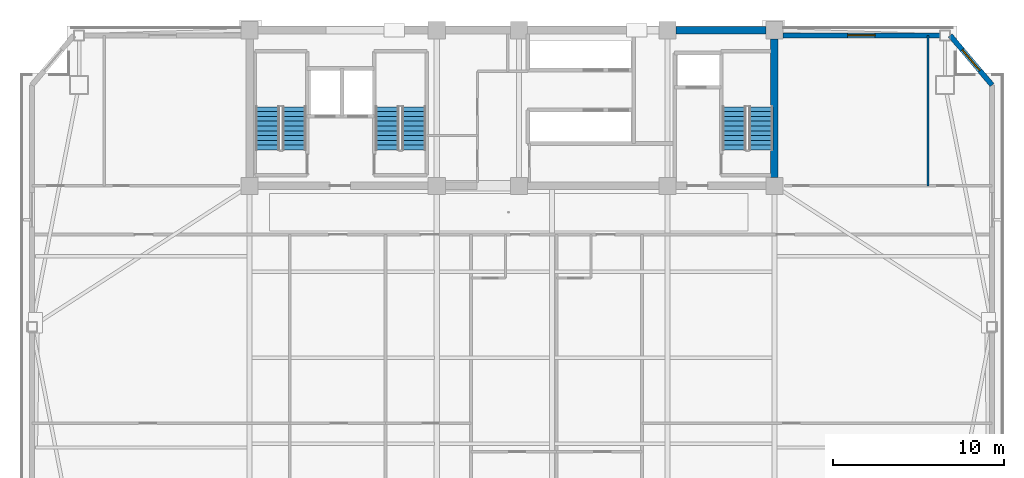
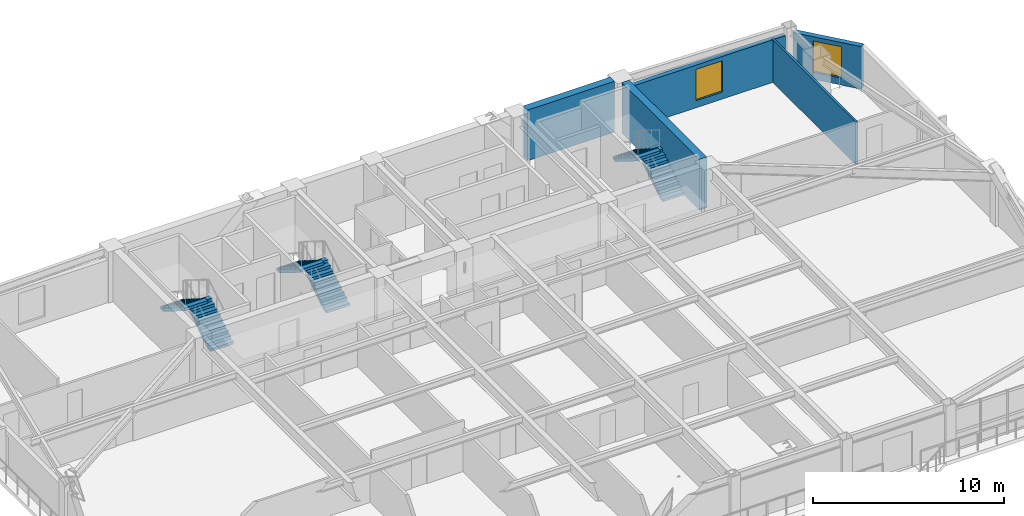
# One storey, part 11 of 17: 6 stair flights, 5 walls, 2 windows, 2 openings, 3 elements without a shape of their own.
"""IFC4 building model written with IfcOpenShell, lengths in metres."""

import ifcopenshell
import ifcopenshell.guid

model = None  # the IFC model being written
_history = None  # IfcOwnerHistory: only IFC2X3 demands one
_inside = {}  # id of a spatial element -> (the spatial element, [elements in it])
_under = {}  # id of a project, library or spatial element -> (it, [spatial elements below it])
_declared = {}  # id of a project -> (the project, [libraries it declares])
_typed = {}  # id of a type object -> (the type object, [elements of that type])
_made_of = {}  # id of a material, layer set ... -> (it, [elements and type objects made of it])


def new_model(schema):
    """Start an empty IFC model of exactly this schema.

    Asked for "IFC4X3", IfcOpenShell would pick the latest addendum, in which some entities
    have other attributes; the version numbers below select the first issue.
    IFC2X3 requires an IfcOwnerHistory on every rooted entity: one is made here for all.
    """
    global model, _history
    if schema == "IFC4X3":
        model = ifcopenshell.file(schema_version=(4, 3, 0, 0))
    else:
        model = ifcopenshell.file(schema=schema)
    _inside.clear()
    _under.clear()
    _declared.clear()
    _typed.clear()
    _made_of.clear()
    _history = None
    if model.schema == "IFC2X3":
        org = make("IfcOrganization", Name="unknown")
        user = make(
            "IfcPersonAndOrganization",
            ThePerson=make("IfcPerson", FamilyName="unknown"),
            TheOrganization=org,
        )
        app = make(
            "IfcApplication",
            ApplicationDeveloper=org,
            Version="unknown",
            ApplicationFullName="unknown",
            ApplicationIdentifier="unknown",
        )
        _history = make(
            "IfcOwnerHistory",
            OwningUser=user,
            OwningApplication=app,
            ChangeAction="ADDED",
            CreationDate=0,
        )
    return model


def make(cls, **values):
    """One entity of the class cls with the attributes given. An attribute that is None is left unset."""
    return model.create_entity(
        cls, **{name: value for name, value in values.items() if value is not None}
    )


def rooted(cls, **values):
    """An entity with a GlobalId (a new one), such as an element, a storey or a relation."""
    return make(cls, GlobalId=ifcopenshell.guid.new(), OwnerHistory=_history, **values)


def si_unit(unit_type, name, prefix=None):
    """IfcSIUnit, for example si_unit("LENGTHUNIT", "METRE", prefix="MILLI")."""
    return make("IfcSIUnit", UnitType=unit_type, Prefix=prefix, Name=name)


def assignment(units):
    """IfcUnitAssignment: the units of a project."""
    return None if units is None else make("IfcUnitAssignment", Units=units)


def point(xyz):
    """IfcCartesianPoint."""
    return None if xyz is None else make("IfcCartesianPoint", Coordinates=xyz)


def direction(xyz):
    """IfcDirection."""
    return None if xyz is None else make("IfcDirection", DirectionRatios=xyz)


def frame(location, z_axis=None, x_axis=None):
    """IfcAxis2Placement3D, a coordinate frame: its origin and axes. An axis left out is left unset."""
    return make(
        "IfcAxis2Placement3D",
        Location=point(location),
        Axis=direction(z_axis),
        RefDirection=direction(x_axis),
    )


def frame_2d(location, x_axis=None):
    """IfcAxis2Placement2D, a coordinate frame in the plane: its origin and x axis."""
    return make(
        "IfcAxis2Placement2D", Location=point(location), RefDirection=direction(x_axis)
    )


def origin():
    """The frame at (0, 0, 0) with its axes left unset."""
    return frame((0.0, 0.0, 0.0))


def place(relative_to, where):
    """IfcLocalPlacement: puts the frame where relative to a parent placement (None: the world)."""
    return make(
        "IfcLocalPlacement", PlacementRelTo=relative_to, RelativePlacement=where
    )


def context(
    kind, dimensions, precision=None, world=None, true_north=None, identifier=None
):
    """IfcGeometricRepresentationContext, for example the 3D "Model" context."""
    return make(
        "IfcGeometricRepresentationContext",
        ContextIdentifier=identifier,
        ContextType=kind,
        CoordinateSpaceDimension=dimensions,
        Precision=precision,
        WorldCoordinateSystem=world,
        TrueNorth=true_north,
    )


def subcontext(parent, identifier, kind, view, scale=None):
    """IfcGeometricRepresentationSubContext, for example "Body" below "Model"."""
    return make(
        "IfcGeometricRepresentationSubContext",
        ContextIdentifier=identifier,
        ContextType=kind,
        ParentContext=parent,
        TargetScale=scale,
        TargetView=view,
    )


def project(units=None, contexts=None):
    """IfcProject with its units and contexts."""
    return rooted(
        "IfcProject",
        Name="project",
        RepresentationContexts=contexts,
        UnitsInContext=assignment(units),
    )


def spatial(cls, under=None, at=None, **own):
    """A site, building, storey or space (cls), placed at a placement, below another one or the project."""
    s = rooted(cls, ObjectPlacement=at, **own)
    if under is not None:
        _under.setdefault(under.id(), (under, []))[1].append(s)
    return s


def polyline(points):
    """IfcPolyline through the points."""
    return make("IfcPolyline", Points=[point(p) for p in points])


def profile(cls, at=None, kind="AREA", **sizes):
    """A parametric profile (cls). Its sizes go by their IFC names, for example OverallWidth=200.0."""
    return make(cls, ProfileType=kind, Position=at, **sizes)


def rectangle(**sizes):
    """IfcRectangleProfileDef."""
    return profile("IfcRectangleProfileDef", **sizes)


def outline(outer, holes=None, kind="AREA"):
    """IfcArbitraryClosedProfileDef: a profile drawn as a closed curve; with holes, ...WithVoids."""
    if holes is None:
        return make("IfcArbitraryClosedProfileDef", ProfileType=kind, OuterCurve=outer)
    return make(
        "IfcArbitraryProfileDefWithVoids",
        ProfileType=kind,
        OuterCurve=outer,
        InnerCurves=holes,
    )


def extrude(swept, where, along, depth):
    """IfcExtrudedAreaSolid: the profile swept, set in the frame where, extruded along a direction by depth."""
    return make(
        "IfcExtrudedAreaSolid",
        SweptArea=swept,
        Position=where,
        ExtrudedDirection=direction(along),
        Depth=depth,
    )


def shape(context_of_items, identifier, shape_type, items):
    """IfcShapeRepresentation: the items that make up one representation, for example the "Body"."""
    return make(
        "IfcShapeRepresentation",
        ContextOfItems=context_of_items,
        RepresentationIdentifier=identifier,
        RepresentationType=shape_type,
        Items=items,
    )


def source(mapping_origin, context_of_items, identifier, shape_type, items):
    """IfcRepresentationMap: a shape defined once, which mapped items show again and again."""
    return make(
        "IfcRepresentationMap",
        MappingOrigin=mapping_origin,
        MappedRepresentation=shape(context_of_items, identifier, shape_type, items),
    )


def transform(
    local_origin,
    x_axis=None,
    y_axis=None,
    z_axis=None,
    scale=None,
    scale2=None,
    scale3=None,
    uniform=True,
):
    """IfcCartesianTransformationOperator3D, or its non-uniform kind. x_axis, y_axis, z_axis: its Axis1, 2, 3."""
    if uniform:
        return make(
            "IfcCartesianTransformationOperator3D",
            Axis1=direction(x_axis),
            Axis2=direction(y_axis),
            LocalOrigin=point(local_origin),
            Scale=scale,
            Axis3=direction(z_axis),
        )
    return make(
        "IfcCartesianTransformationOperator3DnonUniform",
        Axis1=direction(x_axis),
        Axis2=direction(y_axis),
        LocalOrigin=point(local_origin),
        Scale=scale,
        Axis3=direction(z_axis),
        Scale2=scale2,
        Scale3=scale3,
    )


def mapped(mapping_source, mapping_target):
    """IfcMappedItem: shows the shape of a source again, moved by a transform."""
    return make(
        "IfcMappedItem", MappingSource=mapping_source, MappingTarget=mapping_target
    )


def material(Name=None, Category=None):
    """IfcMaterial."""
    return make("IfcMaterial", Name=Name, Category=Category)


def layer(
    of_material, thickness, ventilated=None, Name=None, Category=None, Priority=None
):
    """IfcMaterialLayer: one layer of a wall or slab, of a material (None: an air gap)."""
    return make(
        "IfcMaterialLayer",
        Material=of_material,
        LayerThickness=thickness,
        IsVentilated=ventilated,
        Name=Name,
        Category=Category,
        Priority=Priority,
    )


def layer_set(layers, Name=None):
    """IfcMaterialLayerSet."""
    return make("IfcMaterialLayerSet", MaterialLayers=layers, LayerSetName=Name)


def made_of(thing, what):
    """Note that an element or type object is made of a material, layer set ...; save() writes the relation."""
    if what is not None:
        _made_of.setdefault(what.id(), (what, []))[1].append(thing)
    return thing


def type_object(cls, material=None, **own):
    """A type object (cls), such as IfcWallType, which elements share."""
    return made_of(rooted(cls, **own), material)


def element(
    cls,
    number,
    at=None,
    inside=None,
    cuts=None,
    type_object=None,
    material=None,
    context=None,
    identifier="Body",
    shape_type=None,
    held_by="IfcProductDefinitionShape",
    body=None,
    shapes=None,
    **own,
):
    """One element of the class cls, such as IfcWall. Its Tag is "e" and its number.

    at: its placement. inside: the storey or other place that contains it. cuts: it is an
    opening in that element (IfcRelVoidsElement). A single representation is given by context,
    identifier, shape_type and body (its items); several are given by shapes. held_by: the class
    of the entity that holds the representations. save() writes the other relations.
    """
    e = rooted(cls, Tag="e%d" % number, ObjectPlacement=at, **own)
    if body is not None:
        shapes = [shape(context, identifier, shape_type, body)]
    if shapes is not None:
        e.Representation = make(held_by, Representations=shapes)
    if inside is not None:
        _inside.setdefault(inside.id(), (inside, []))[1].append(e)
    if cuts is not None:
        rooted(
            "IfcRelVoidsElement", RelatingBuildingElement=cuts, RelatedOpeningElement=e
        )
    if type_object is not None:
        _typed.setdefault(type_object.id(), (type_object, []))[1].append(e)
    return made_of(e, material)


def fill(opening, filler):
    """IfcRelFillsElement: the door or window that sits in an opening."""
    return rooted(
        "IfcRelFillsElement",
        RelatingOpeningElement=opening,
        RelatedBuildingElement=filler,
    )


def aggregate(whole, parts):
    """IfcRelAggregates: a whole, such as a stair, and the parts it consists of."""
    return rooted("IfcRelAggregates", RelatingObject=whole, RelatedObjects=parts)


def save(model, path):
    """Write the relations noted so far, then the file.

    IfcRelAggregates (storeys below a building ...), IfcRelContainedInSpatialStructure (elements
    in a storey), IfcRelDefinesByType, IfcRelAssociatesMaterial and IfcRelDeclares: one each for
    every whole, place, type object, material and project.
    """
    for whole, parts in _under.values():
        aggregate(whole, parts)
    for where, things in _inside.values():
        rooted(
            "IfcRelContainedInSpatialStructure",
            RelatedElements=things,
            RelatingStructure=where,
        )
    for kind, things in _typed.values():
        rooted("IfcRelDefinesByType", RelatedObjects=things, RelatingType=kind)
    for what, things in _made_of.values():
        rooted("IfcRelAssociatesMaterial", RelatedObjects=things, RelatingMaterial=what)
    for by, libraries in _declared.values():
        rooted("IfcRelDeclares", RelatingContext=by, RelatedDefinitions=libraries)
    model.write(path)


model = new_model("IFC4")

# Units and contexts
model_context = context("Model", 3, precision=1e-05, world=origin(), true_north=direction((0.0, 1.0)))
body_context = subcontext(model_context, "Body", "Model", "MODEL_VIEW")
ifc_project = project(units=[si_unit("LENGTHUNIT", "METRE"), si_unit("AREAUNIT", "SQUARE_METRE"), si_unit("VOLUMEUNIT", "CUBIC_METRE"), si_unit("PLANEANGLEUNIT", "RADIAN"), si_unit("MASSUNIT", "GRAM", prefix="KILO")], contexts=[model_context])

# Site, building, storey
site_placement = place(None, origin())
site = spatial("IfcSite", under=ifc_project, at=site_placement, CompositionType="ELEMENT")
building_placement = place(site_placement, origin())
building = spatial("IfcBuilding", under=site, at=building_placement, Name="Giltprow Tower", CompositionType="ELEMENT")
storey_placement = place(building_placement, frame((0.0, 0.0, 216.699951171875)))
storey = spatial("IfcBuildingStorey", under=building, at=storey_placement, Name="L55", CompositionType="ELEMENT", Elevation=216.699951171875)

# Wall, opening, window
ifc_material_1 = material(Name="Precast concrete C40", Category="concrete")
ifc_layer_1 = layer(ifc_material_1, 0.300048828125, Name="Precast concrete C40")
ifc_layer_set_1 = layer_set([ifc_layer_1], Name="Precast concrete C40")
wall_type_1 = type_object("IfcWallType", Name="EW-NOTCH-CHAMFER-300", PredefinedType="SOLIDWALL", material=ifc_layer_set_1)
wall_1_placement = place(storey_placement, frame((63.281982421875, 43.345947265625, 0.0), z_axis=(0.0, 0.0, 1.0), x_axis=(-0.645455651603, 0.763797749286, 0.0)))
wall_1 = element("IfcWall", 1, at=wall_1_placement, inside=storey, type_object=wall_type_1, Name="L55 Corner Notch Wall NE", PredefinedType="SOLIDWALL", context=body_context, shape_type="SweptSolid", body=[
    extrude(rectangle(XDim=3.802001953125, YDim=0.300048828125, at=frame_2d((1.90087890625, 0.0))), origin(), (0.0, 0.0, 1.0), 2.719970703125),
])
opening_1_placement = place(wall_1_placement, frame((1.10107421875, 0.0, 0.449951171875)))
opening_1 = element("IfcOpeningElement", 2, at=opening_1_placement, cuts=wall_1, Name="Opening WN17", PredefinedType="OPENING", context=body_context, shape_type="SweptSolid", body=[
    extrude(rectangle(XDim=1.60009765625, YDim=2.0, at=frame_2d((0.800048828125, 1.0))), frame((0.0, 0.159912109375, 0.0), z_axis=(0.0, -1.0, 0.0), x_axis=(1.0, 0.0, 0.0)), (0.0, 0.0, 1.0), 0.320068359375),
])
ifc_material_2 = material(Name="Insulated glass", Category="glass")
window_type = type_object("IfcWindowType", Name="WN-COR-1600x2000", PartitioningType="SINGLE_PANEL", PredefinedType="WINDOW", material=ifc_material_2)
shared_shape = source(origin(), body_context, "Body", "SweptSolid", [
    extrude(rectangle(XDim=1.60009765625, YDim=2.0, at=frame_2d((0.800048828125, 1.0))), frame((0.0, 0.030029296875, 0.0), z_axis=(0.0, -1.0, 0.0), x_axis=(1.0, 0.0, 0.0)), (0.0, 0.0, 1.0), 0.06005859375),
])
window_1_placement = place(opening_1_placement, origin())
window_1 = element("IfcWindow", 3, at=window_1_placement, inside=storey, type_object=window_type, Name="L55 Corner Notch Window NE", OverallHeight=2.0, OverallWidth=1.60009765625, PartitioningType="SINGLE_PANEL", PredefinedType="WINDOW", context=body_context, shape_type="MappedRepresentation", body=[
    mapped(shared_shape, transform((0.0, 0.0, 0.0), x_axis=(1.0, 0.0, 0.0), y_axis=(0.0, 1.0, 0.0), z_axis=(0.0, 0.0, 1.0), scale=1.0)),
])
fill(opening_1, window_1)

ifc_layer_2 = layer(ifc_material_1, 0.280029296875, Name="Precast concrete C40")
ifc_layer_set_2 = layer_set([ifc_layer_2], Name="Precast concrete C40")
wall_type_2 = type_object("IfcWallType", Name="EW-TOW-BRONZE-280", PredefinedType="SOLIDWALL", material=ifc_layer_set_2)
wall_2_placement = place(storey_placement, frame((51.050048828125, 46.25, 0.0), z_axis=(0.0, 0.0, 1.0), x_axis=(1.0, 0.0, 0.0)))
wall_2 = element("IfcWall", 4, at=wall_2_placement, inside=storey, type_object=wall_type_2, Name="L55 North-East Wing Wall", PredefinedType="SOLIDWALL", context=body_context, shape_type="SweptSolid", body=[
    extrude(rectangle(XDim=9.177978515625, YDim=0.280029296875, at=frame_2d((4.5888671875, 0.0))), origin(), (0.0, 0.0, 1.0), 2.719970703125),
])
opening_2_placement = place(wall_2_placement, frame((3.7890625, 0.0, 0.449951171875)))
opening_2 = element("IfcOpeningElement", 5, at=opening_2_placement, cuts=wall_2, Name="Opening WN17", PredefinedType="OPENING", context=body_context, shape_type="SweptSolid", body=[
    extrude(rectangle(XDim=1.60009765625, YDim=2.0, at=frame_2d((0.800048828125, 1.0))), frame((0.0, 0.14990234375, 0.0), z_axis=(0.0, -1.0, 0.0), x_axis=(1.0, 0.0, 0.0)), (0.0, 0.0, 1.0), 0.300048828125),
])
window_2_placement = place(opening_2_placement, origin())
window_2 = element("IfcWindow", 6, at=window_2_placement, inside=storey, type_object=window_type, Name="L55 North-East Window", OverallHeight=2.0, OverallWidth=1.60009765625, PartitioningType="SINGLE_PANEL", PredefinedType="WINDOW", context=body_context, shape_type="MappedRepresentation", body=[
    mapped(shared_shape, transform((0.0, 0.0, 0.0), x_axis=(1.0, 0.0, 0.0), y_axis=(0.0, 1.0, 0.0), z_axis=(0.0, 0.0, 1.0), scale=1.0)),
])
fill(opening_2, window_2)

# Walls
ifc_material_3 = material(Name="Concrete C30", Category="concrete")
ifc_layer_3 = layer(ifc_material_3, 0.1298828125, Name="Concrete C30")
ifc_layer_set_3 = layer_set([ifc_layer_3], Name="Concrete C30")
wall_type_3 = type_object("IfcWallType", Name="IW-WET-130", PredefinedType="PARTITIONING", material=ifc_layer_set_3)
wall_3_placement = place(storey_placement, frame((59.531982421875, 37.449951171875, 0.0), z_axis=(0.0, 0.0, 1.0), x_axis=(0.0, 1.0, 0.0)))
element("IfcWall", 7, at=wall_3_placement, inside=storey, type_object=wall_type_3, Name="L55 NE Wing Divider", PredefinedType="PARTITIONING", context=body_context, shape_type="SweptSolid", body=[
    extrude(rectangle(XDim=8.800048828125, YDim=0.1298828125, at=frame_2d((4.39990234375, 0.0))), origin(), (0.0, 0.0, 1.0), 2.72509765625),
])
ifc_material_4 = material(Name="Concrete C50", Category="concrete")
ifc_layer_4 = layer(ifc_material_4, 0.449951171875, Name="Concrete C50")
ifc_layer_set_4 = layer_set([ifc_layer_4], Name="Concrete C50")
wall_type_4 = type_object("IfcWallType", Name="SW-EXT-450-C50", PredefinedType="SHEAR", material=ifc_layer_set_4)
wall_4_placement = place(storey_placement, frame((44.800048828125, 46.550048828125, 0.0), z_axis=(0.0, 0.0, 1.0), x_axis=(1.0, 0.0, 0.0)))
element("IfcWall", 8, at=wall_4_placement, inside=storey, type_object=wall_type_4, Name="L55 North Rear Core Shear Wall 4", PredefinedType="SHEAR", context=body_context, shape_type="SweptSolid", body=[
    extrude(rectangle(XDim=5.25, YDim=0.449951171875, at=frame_2d((2.625, 0.0))), origin(), (0.0, 0.0, 1.0), 3.239990234375),
])
ifc_layer_5 = layer(ifc_material_4, 0.449951171875, Name="Concrete C50")
ifc_layer_set_5 = layer_set([ifc_layer_5], Name="Concrete C50")
wall_type_5 = type_object("IfcWallType", Name="SW-INT-450-C50", PredefinedType="SHEAR", material=ifc_layer_set_5)
wall_5_placement = place(storey_placement, frame((50.550048828125, 37.949951171875, 0.0), z_axis=(0.0, 0.0, 1.0), x_axis=(0.0, 1.0, 0.0)))
element("IfcWall", 9, at=wall_5_placement, inside=storey, type_object=wall_type_5, Name="L55 E Rear Core Shear Wall", PredefinedType="SHEAR", context=body_context, shape_type="SweptSolid", body=[
    extrude(rectangle(XDim=8.10009765625, YDim=0.449951171875, at=frame_2d((4.050048828125, 0.0))), origin(), (0.0, 0.0, 1.0), 3.239990234375),
])

# Stair, stair flights
ifc_material_5 = material(Name="Concrete C40", Category="concrete")
stair_type_1 = type_object("IfcStairType", Name="STR-ST-1", PredefinedType="HALF_TURN_STAIR", material=ifc_material_5)
stair_1_placement = place(storey_placement, origin())
stair_1 = element("IfcStair", 10, at=stair_1_placement, inside=storey, type_object=stair_type_1, Name="L55 Core Exit Stair ST-1", PredefinedType="HALF_TURN_STAIR")
stair_flight_type_1 = type_object("IfcStairFlightType", Name="SFL-ST-1", PredefinedType="STRAIGHT", material=ifc_material_5)
stair_flight_1_placement = place(storey_placement, frame((22.4599609375, 39.550048828125, 0.0), z_axis=(0.0, 0.0, 1.0), x_axis=(0.0, 1.0, 0.0)))
stair_flight_1 = element("IfcStairFlight", 11, at=stair_flight_1_placement, type_object=stair_flight_type_1, Name="ST-1 flight 1", NumberOfRisers=10, NumberOfTreads=9, PredefinedType="STRAIGHT", RiserHeight=0.175, TreadLength=0.28, context=body_context, shape_type="SweptSolid", body=[
    extrude(outline(polyline([(0.0, 0.0), (0.0, 0.175048828125), (0.280029296875, 0.175048828125), (0.280029296875, 0.35009765625), (0.56005859375, 0.35009765625), (0.56005859375, 0.52490234375), (0.840087890625, 0.52490234375), (0.840087890625, 0.699951171875), (1.1201171875, 0.699951171875), (1.1201171875, 0.875), (1.39990234375, 0.875), (1.39990234375, 1.050048828125), (1.679931640625, 1.050048828125), (1.679931640625, 1.22509765625), (1.9599609375, 1.22509765625), (1.9599609375, 1.39990234375), (2.239990234375, 1.39990234375), (2.239990234375, 1.574951171875), (2.52001953125, 1.574951171875), (2.52001953125, 1.75), (2.52001953125, 1.398193359375), (0.28271484375, 0.0), (0.0, 0.0)])), frame((0.0, 0.699951171875, 0.0), z_axis=(0.0, -1.0, 0.0), x_axis=(1.0, 0.0, 0.0)), (0.0, 0.0, 1.0), 1.39990234375),
])
stair_flight_2_placement = place(storey_placement, frame((20.89990234375, 42.070068359375, 1.75), z_axis=(0.0, 0.0, 1.0), x_axis=(0.0, -1.0, 0.0)))
stair_flight_2 = element("IfcStairFlight", 12, at=stair_flight_2_placement, type_object=stair_flight_type_1, Name="ST-1 flight 2", NumberOfRisers=10, NumberOfTreads=9, PredefinedType="STRAIGHT", RiserHeight=0.175, TreadLength=0.28, context=body_context, shape_type="SweptSolid", body=[
    extrude(outline(polyline([(0.0, 0.0), (0.0, 0.175048828125), (0.280029296875, 0.175048828125), (0.280029296875, 0.35009765625), (0.56005859375, 0.35009765625), (0.56005859375, 0.52490234375), (0.840087890625, 0.52490234375), (0.840087890625, 0.699951171875), (1.1201171875, 0.699951171875), (1.1201171875, 0.875), (1.39990234375, 0.875), (1.39990234375, 1.050048828125), (1.679931640625, 1.050048828125), (1.679931640625, 1.22509765625), (1.9599609375, 1.22509765625), (1.9599609375, 1.39990234375), (2.239990234375, 1.39990234375), (2.239990234375, 1.574951171875), (2.52001953125, 1.574951171875), (2.52001953125, 1.75), (2.52001953125, 1.398193359375), (0.28271484375, 0.0), (0.0, 0.0)])), frame((0.0, 0.699951171875, 0.0), z_axis=(0.0, -1.0, 0.0), x_axis=(1.0, 0.0, 0.0)), (0.0, 0.0, 1.0), 1.39990234375),
])
aggregate(stair_1, [stair_flight_1, stair_flight_2])

stair_type_2 = type_object("IfcStairType", Name="STR-ST-2", PredefinedType="HALF_TURN_STAIR", material=ifc_material_5)
stair_2_placement = place(storey_placement, origin())
stair_2 = element("IfcStair", 13, at=stair_2_placement, inside=storey, type_object=stair_type_2, Name="L55 Core Exit Stair ST-2", PredefinedType="HALF_TURN_STAIR")
stair_flight_type_2 = type_object("IfcStairFlightType", Name="SFL-ST-2", PredefinedType="STRAIGHT", material=ifc_material_5)
stair_flight_3_placement = place(storey_placement, frame((29.4599609375, 39.550048828125, 0.0), z_axis=(0.0, 0.0, 1.0), x_axis=(0.0, 1.0, 0.0)))
stair_flight_3 = element("IfcStairFlight", 14, at=stair_flight_3_placement, type_object=stair_flight_type_2, Name="ST-2 flight 1", NumberOfRisers=10, NumberOfTreads=9, PredefinedType="STRAIGHT", RiserHeight=0.175, TreadLength=0.28, context=body_context, shape_type="SweptSolid", body=[
    extrude(outline(polyline([(0.0, 0.0), (0.0, 0.175048828125), (0.280029296875, 0.175048828125), (0.280029296875, 0.35009765625), (0.56005859375, 0.35009765625), (0.56005859375, 0.52490234375), (0.840087890625, 0.52490234375), (0.840087890625, 0.699951171875), (1.1201171875, 0.699951171875), (1.1201171875, 0.875), (1.39990234375, 0.875), (1.39990234375, 1.050048828125), (1.679931640625, 1.050048828125), (1.679931640625, 1.22509765625), (1.9599609375, 1.22509765625), (1.9599609375, 1.39990234375), (2.239990234375, 1.39990234375), (2.239990234375, 1.574951171875), (2.52001953125, 1.574951171875), (2.52001953125, 1.75), (2.52001953125, 1.398193359375), (0.28271484375, 0.0), (0.0, 0.0)])), frame((0.0, 0.699951171875, 0.0), z_axis=(0.0, -1.0, 0.0), x_axis=(1.0, 0.0, 0.0)), (0.0, 0.0, 1.0), 1.39990234375),
])
stair_flight_4_placement = place(storey_placement, frame((27.89990234375, 42.070068359375, 1.75), z_axis=(0.0, 0.0, 1.0), x_axis=(0.0, -1.0, 0.0)))
stair_flight_4 = element("IfcStairFlight", 15, at=stair_flight_4_placement, type_object=stair_flight_type_2, Name="ST-2 flight 2", NumberOfRisers=10, NumberOfTreads=9, PredefinedType="STRAIGHT", RiserHeight=0.175, TreadLength=0.28, context=body_context, shape_type="SweptSolid", body=[
    extrude(outline(polyline([(0.0, 0.0), (0.0, 0.175048828125), (0.280029296875, 0.175048828125), (0.280029296875, 0.35009765625), (0.56005859375, 0.35009765625), (0.56005859375, 0.52490234375), (0.840087890625, 0.52490234375), (0.840087890625, 0.699951171875), (1.1201171875, 0.699951171875), (1.1201171875, 0.875), (1.39990234375, 0.875), (1.39990234375, 1.050048828125), (1.679931640625, 1.050048828125), (1.679931640625, 1.22509765625), (1.9599609375, 1.22509765625), (1.9599609375, 1.39990234375), (2.239990234375, 1.39990234375), (2.239990234375, 1.574951171875), (2.52001953125, 1.574951171875), (2.52001953125, 1.75), (2.52001953125, 1.398193359375), (0.28271484375, 0.0), (0.0, 0.0)])), frame((0.0, 0.699951171875, 0.0), z_axis=(0.0, -1.0, 0.0), x_axis=(1.0, 0.0, 0.0)), (0.0, 0.0, 1.0), 1.39990234375),
])
aggregate(stair_2, [stair_flight_3, stair_flight_4])

stair_type_3 = type_object("IfcStairType", Name="STR-ST-3", PredefinedType="HALF_TURN_STAIR", material=ifc_material_5)
stair_3_placement = place(storey_placement, origin())
stair_3 = element("IfcStair", 16, at=stair_3_placement, inside=storey, type_object=stair_type_3, Name="L55 Core Exit Stair ST-3", PredefinedType="HALF_TURN_STAIR")
stair_flight_type_3 = type_object("IfcStairFlightType", Name="SFL-ST-3", PredefinedType="STRAIGHT", material=ifc_material_5)
stair_flight_5_placement = place(storey_placement, frame((49.760009765625, 39.550048828125, 0.0), z_axis=(0.0, 0.0, 1.0), x_axis=(0.0, 1.0, 0.0)))
stair_flight_5 = element("IfcStairFlight", 17, at=stair_flight_5_placement, type_object=stair_flight_type_3, Name="ST-3 flight 1", NumberOfRisers=10, NumberOfTreads=9, PredefinedType="STRAIGHT", RiserHeight=0.175, TreadLength=0.28, context=body_context, shape_type="SweptSolid", body=[
    extrude(outline(polyline([(0.0, 0.0), (0.0, 0.175048828125), (0.280029296875, 0.175048828125), (0.280029296875, 0.35009765625), (0.56005859375, 0.35009765625), (0.56005859375, 0.52490234375), (0.840087890625, 0.52490234375), (0.840087890625, 0.699951171875), (1.1201171875, 0.699951171875), (1.1201171875, 0.875), (1.39990234375, 0.875), (1.39990234375, 1.050048828125), (1.679931640625, 1.050048828125), (1.679931640625, 1.22509765625), (1.9599609375, 1.22509765625), (1.9599609375, 1.39990234375), (2.239990234375, 1.39990234375), (2.239990234375, 1.574951171875), (2.52001953125, 1.574951171875), (2.52001953125, 1.75), (2.52001953125, 1.398193359375), (0.28271484375, 0.0), (0.0, 0.0)])), frame((0.0, 0.699951171875, 0.0), z_axis=(0.0, -1.0, 0.0), x_axis=(1.0, 0.0, 0.0)), (0.0, 0.0, 1.0), 1.39990234375),
])
stair_flight_6_placement = place(storey_placement, frame((48.199951171875, 42.070068359375, 1.75), z_axis=(0.0, 0.0, 1.0), x_axis=(0.0, -1.0, 0.0)))
stair_flight_6 = element("IfcStairFlight", 18, at=stair_flight_6_placement, type_object=stair_flight_type_3, Name="ST-3 flight 2", NumberOfRisers=10, NumberOfTreads=9, PredefinedType="STRAIGHT", RiserHeight=0.175, TreadLength=0.28, context=body_context, shape_type="SweptSolid", body=[
    extrude(outline(polyline([(0.0, 0.0), (0.0, 0.175048828125), (0.280029296875, 0.175048828125), (0.280029296875, 0.35009765625), (0.56005859375, 0.35009765625), (0.56005859375, 0.52490234375), (0.840087890625, 0.52490234375), (0.840087890625, 0.699951171875), (1.1201171875, 0.699951171875), (1.1201171875, 0.875), (1.39990234375, 0.875), (1.39990234375, 1.050048828125), (1.679931640625, 1.050048828125), (1.679931640625, 1.22509765625), (1.9599609375, 1.22509765625), (1.9599609375, 1.39990234375), (2.239990234375, 1.39990234375), (2.239990234375, 1.574951171875), (2.52001953125, 1.574951171875), (2.52001953125, 1.75), (2.52001953125, 1.398193359375), (0.28271484375, 0.0), (0.0, 0.0)])), frame((0.0, 0.699951171875, 0.0), z_axis=(0.0, -1.0, 0.0), x_axis=(1.0, 0.0, 0.0)), (0.0, 0.0, 1.0), 1.39990234375),
])
aggregate(stair_3, [stair_flight_5, stair_flight_6])

save(model, "model.ifc")
